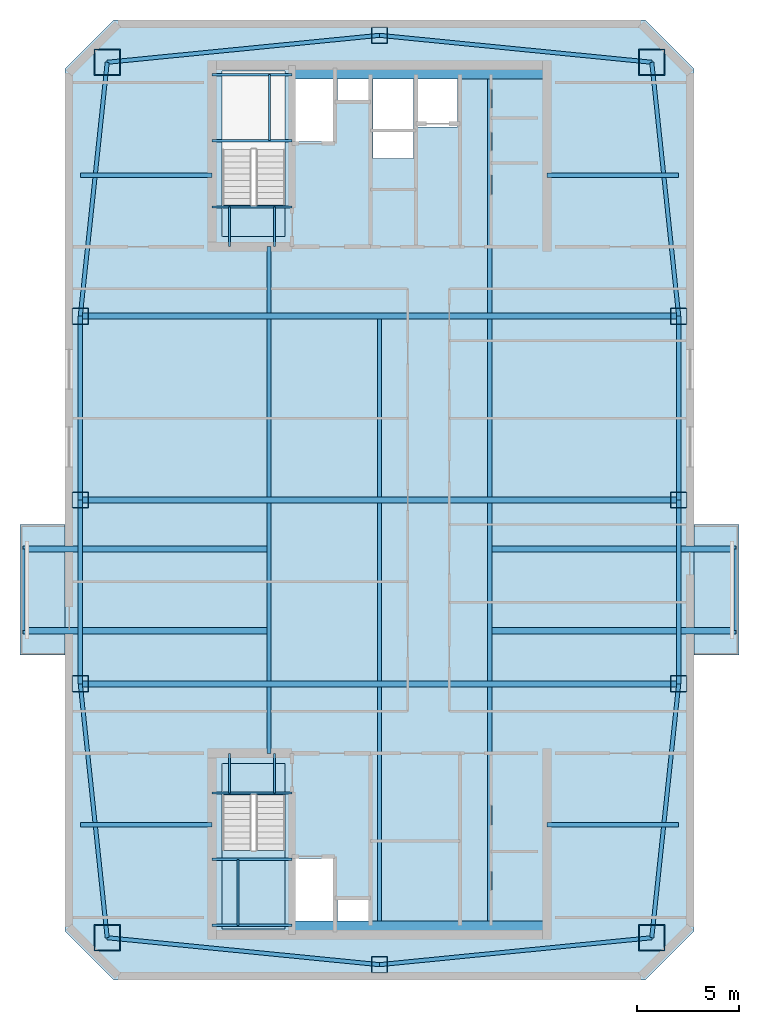
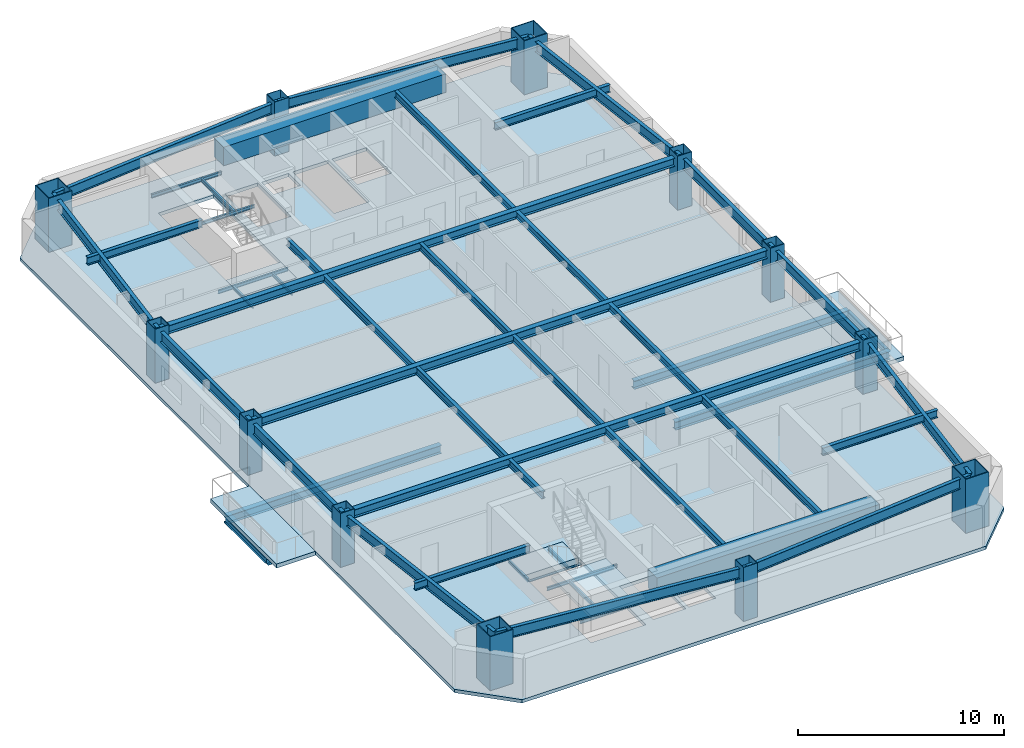
# One storey, part 1 of 6: 50 beams, 12 columns, 6 slabs, 1 element without a shape of its own.
"""IFC4 building model written with IfcOpenShell, lengths in metres."""

import ifcopenshell
import ifcopenshell.guid

model = None  # the IFC model being written
_history = None  # IfcOwnerHistory: only IFC2X3 demands one
_inside = {}  # id of a spatial element -> (the spatial element, [elements in it])
_under = {}  # id of a project, library or spatial element -> (it, [spatial elements below it])
_declared = {}  # id of a project -> (the project, [libraries it declares])
_typed = {}  # id of a type object -> (the type object, [elements of that type])
_made_of = {}  # id of a material, layer set ... -> (it, [elements and type objects made of it])


def new_model(schema):
    """Start an empty IFC model of exactly this schema.

    Asked for "IFC4X3", IfcOpenShell would pick the latest addendum, in which some entities
    have other attributes; the version numbers below select the first issue.
    IFC2X3 requires an IfcOwnerHistory on every rooted entity: one is made here for all.
    """
    global model, _history
    if schema == "IFC4X3":
        model = ifcopenshell.file(schema_version=(4, 3, 0, 0))
    else:
        model = ifcopenshell.file(schema=schema)
    _inside.clear()
    _under.clear()
    _declared.clear()
    _typed.clear()
    _made_of.clear()
    _history = None
    if model.schema == "IFC2X3":
        org = make("IfcOrganization", Name="unknown")
        user = make(
            "IfcPersonAndOrganization",
            ThePerson=make("IfcPerson", FamilyName="unknown"),
            TheOrganization=org,
        )
        app = make(
            "IfcApplication",
            ApplicationDeveloper=org,
            Version="unknown",
            ApplicationFullName="unknown",
            ApplicationIdentifier="unknown",
        )
        _history = make(
            "IfcOwnerHistory",
            OwningUser=user,
            OwningApplication=app,
            ChangeAction="ADDED",
            CreationDate=0,
        )
    return model


def make(cls, **values):
    """One entity of the class cls with the attributes given. An attribute that is None is left unset."""
    return model.create_entity(
        cls, **{name: value for name, value in values.items() if value is not None}
    )


def rooted(cls, **values):
    """An entity with a GlobalId (a new one), such as an element, a storey or a relation."""
    return make(cls, GlobalId=ifcopenshell.guid.new(), OwnerHistory=_history, **values)


def si_unit(unit_type, name, prefix=None):
    """IfcSIUnit, for example si_unit("LENGTHUNIT", "METRE", prefix="MILLI")."""
    return make("IfcSIUnit", UnitType=unit_type, Prefix=prefix, Name=name)


def assignment(units):
    """IfcUnitAssignment: the units of a project."""
    return None if units is None else make("IfcUnitAssignment", Units=units)


def point(xyz):
    """IfcCartesianPoint."""
    return None if xyz is None else make("IfcCartesianPoint", Coordinates=xyz)


def direction(xyz):
    """IfcDirection."""
    return None if xyz is None else make("IfcDirection", DirectionRatios=xyz)


def frame(location, z_axis=None, x_axis=None):
    """IfcAxis2Placement3D, a coordinate frame: its origin and axes. An axis left out is left unset."""
    return make(
        "IfcAxis2Placement3D",
        Location=point(location),
        Axis=direction(z_axis),
        RefDirection=direction(x_axis),
    )


def frame_2d(location, x_axis=None):
    """IfcAxis2Placement2D, a coordinate frame in the plane: its origin and x axis."""
    return make(
        "IfcAxis2Placement2D", Location=point(location), RefDirection=direction(x_axis)
    )


def origin():
    """The frame at (0, 0, 0) with its axes left unset."""
    return frame((0.0, 0.0, 0.0))


def origin_2d():
    """The frame at (0, 0) in the plane with its x axis left unset."""
    return frame_2d((0.0, 0.0))


def place(relative_to, where):
    """IfcLocalPlacement: puts the frame where relative to a parent placement (None: the world)."""
    return make(
        "IfcLocalPlacement", PlacementRelTo=relative_to, RelativePlacement=where
    )


def context(
    kind, dimensions, precision=None, world=None, true_north=None, identifier=None
):
    """IfcGeometricRepresentationContext, for example the 3D "Model" context."""
    return make(
        "IfcGeometricRepresentationContext",
        ContextIdentifier=identifier,
        ContextType=kind,
        CoordinateSpaceDimension=dimensions,
        Precision=precision,
        WorldCoordinateSystem=world,
        TrueNorth=true_north,
    )


def subcontext(parent, identifier, kind, view, scale=None):
    """IfcGeometricRepresentationSubContext, for example "Body" below "Model"."""
    return make(
        "IfcGeometricRepresentationSubContext",
        ContextIdentifier=identifier,
        ContextType=kind,
        ParentContext=parent,
        TargetScale=scale,
        TargetView=view,
    )


def project(units=None, contexts=None):
    """IfcProject with its units and contexts."""
    return rooted(
        "IfcProject",
        Name="project",
        RepresentationContexts=contexts,
        UnitsInContext=assignment(units),
    )


def spatial(cls, under=None, at=None, **own):
    """A site, building, storey or space (cls), placed at a placement, below another one or the project."""
    s = rooted(cls, ObjectPlacement=at, **own)
    if under is not None:
        _under.setdefault(under.id(), (under, []))[1].append(s)
    return s


def polyline(points):
    """IfcPolyline through the points."""
    return make("IfcPolyline", Points=[point(p) for p in points])


def profile(cls, at=None, kind="AREA", **sizes):
    """A parametric profile (cls). Its sizes go by their IFC names, for example OverallWidth=200.0."""
    return make(cls, ProfileType=kind, Position=at, **sizes)


def rectangle(**sizes):
    """IfcRectangleProfileDef."""
    return profile("IfcRectangleProfileDef", **sizes)


def hollow_rectangle(**sizes):
    """IfcRectangleHollowProfileDef."""
    return profile("IfcRectangleHollowProfileDef", **sizes)


def i_section(**sizes):
    """IfcIShapeProfileDef."""
    return profile("IfcIShapeProfileDef", **sizes)


def outline(outer, holes=None, kind="AREA"):
    """IfcArbitraryClosedProfileDef: a profile drawn as a closed curve; with holes, ...WithVoids."""
    if holes is None:
        return make("IfcArbitraryClosedProfileDef", ProfileType=kind, OuterCurve=outer)
    return make(
        "IfcArbitraryProfileDefWithVoids",
        ProfileType=kind,
        OuterCurve=outer,
        InnerCurves=holes,
    )


def extrude(swept, where, along, depth):
    """IfcExtrudedAreaSolid: the profile swept, set in the frame where, extruded along a direction by depth."""
    return make(
        "IfcExtrudedAreaSolid",
        SweptArea=swept,
        Position=where,
        ExtrudedDirection=direction(along),
        Depth=depth,
    )


def shape(context_of_items, identifier, shape_type, items):
    """IfcShapeRepresentation: the items that make up one representation, for example the "Body"."""
    return make(
        "IfcShapeRepresentation",
        ContextOfItems=context_of_items,
        RepresentationIdentifier=identifier,
        RepresentationType=shape_type,
        Items=items,
    )


def material(Name=None, Category=None):
    """IfcMaterial."""
    return make("IfcMaterial", Name=Name, Category=Category)


def layer(
    of_material, thickness, ventilated=None, Name=None, Category=None, Priority=None
):
    """IfcMaterialLayer: one layer of a wall or slab, of a material (None: an air gap)."""
    return make(
        "IfcMaterialLayer",
        Material=of_material,
        LayerThickness=thickness,
        IsVentilated=ventilated,
        Name=Name,
        Category=Category,
        Priority=Priority,
    )


def layer_set(layers, Name=None):
    """IfcMaterialLayerSet."""
    return make("IfcMaterialLayerSet", MaterialLayers=layers, LayerSetName=Name)


def material_profile(
    of_material, cross_section, Name=None, Category=None, Priority=None
):
    """IfcMaterialProfile: a cross section and its material."""
    return make(
        "IfcMaterialProfile",
        Name=Name,
        Material=of_material,
        Profile=cross_section,
        Priority=Priority,
        Category=Category,
    )


def profile_set(profiles, Name=None, composite=None):
    """IfcMaterialProfileSet."""
    return make(
        "IfcMaterialProfileSet",
        Name=Name,
        MaterialProfiles=profiles,
        CompositeProfile=composite,
    )


def made_of(thing, what):
    """Note that an element or type object is made of a material, layer set ...; save() writes the relation."""
    if what is not None:
        _made_of.setdefault(what.id(), (what, []))[1].append(thing)
    return thing


def type_object(cls, material=None, **own):
    """A type object (cls), such as IfcWallType, which elements share."""
    return made_of(rooted(cls, **own), material)


def element(
    cls,
    number,
    at=None,
    inside=None,
    cuts=None,
    type_object=None,
    material=None,
    context=None,
    identifier="Body",
    shape_type=None,
    held_by="IfcProductDefinitionShape",
    body=None,
    shapes=None,
    **own,
):
    """One element of the class cls, such as IfcWall. Its Tag is "e" and its number.

    at: its placement. inside: the storey or other place that contains it. cuts: it is an
    opening in that element (IfcRelVoidsElement). A single representation is given by context,
    identifier, shape_type and body (its items); several are given by shapes. held_by: the class
    of the entity that holds the representations. save() writes the other relations.
    """
    e = rooted(cls, Tag="e%d" % number, ObjectPlacement=at, **own)
    if body is not None:
        shapes = [shape(context, identifier, shape_type, body)]
    if shapes is not None:
        e.Representation = make(held_by, Representations=shapes)
    if inside is not None:
        _inside.setdefault(inside.id(), (inside, []))[1].append(e)
    if cuts is not None:
        rooted(
            "IfcRelVoidsElement", RelatingBuildingElement=cuts, RelatedOpeningElement=e
        )
    if type_object is not None:
        _typed.setdefault(type_object.id(), (type_object, []))[1].append(e)
    return made_of(e, material)


def aggregate(whole, parts):
    """IfcRelAggregates: a whole, such as a stair, and the parts it consists of."""
    return rooted("IfcRelAggregates", RelatingObject=whole, RelatedObjects=parts)


def save(model, path):
    """Write the relations noted so far, then the file.

    IfcRelAggregates (storeys below a building ...), IfcRelContainedInSpatialStructure (elements
    in a storey), IfcRelDefinesByType, IfcRelAssociatesMaterial and IfcRelDeclares: one each for
    every whole, place, type object, material and project.
    """
    for whole, parts in _under.values():
        aggregate(whole, parts)
    for where, things in _inside.values():
        rooted(
            "IfcRelContainedInSpatialStructure",
            RelatedElements=things,
            RelatingStructure=where,
        )
    for kind, things in _typed.values():
        rooted("IfcRelDefinesByType", RelatedObjects=things, RelatingType=kind)
    for what, things in _made_of.values():
        rooted("IfcRelAssociatesMaterial", RelatedObjects=things, RelatingMaterial=what)
    for by, libraries in _declared.values():
        rooted("IfcRelDeclares", RelatingContext=by, RelatedDefinitions=libraries)
    model.write(path)


model = new_model("IFC4")

# Units and contexts
model_context = context("Model", 3, precision=1e-05, world=origin(), true_north=direction((0.0, 1.0)))
body_context = subcontext(model_context, "Body", "Model", "MODEL_VIEW")
ifc_project = project(units=[si_unit("LENGTHUNIT", "METRE"), si_unit("AREAUNIT", "SQUARE_METRE"), si_unit("VOLUMEUNIT", "CUBIC_METRE"), si_unit("PLANEANGLEUNIT", "RADIAN"), si_unit("MASSUNIT", "GRAM", prefix="KILO")], contexts=[model_context])

# Site, building, storey
site_placement = place(None, origin())
site = spatial("IfcSite", under=ifc_project, at=site_placement, CompositionType="ELEMENT")
building_placement = place(site_placement, origin())
building = spatial("IfcBuilding", under=site, at=building_placement, Name="Qiaolan Cultural Towers", CompositionType="ELEMENT")
storey_placement = place(building_placement, frame((0.0, 0.0, 269.60009765625)))
storey = spatial("IfcBuildingStorey", under=building, at=storey_placement, Name="L74", CompositionType="ELEMENT", Elevation=269.60009765625)

# Columns
ifc_material_1 = material(Name="Steel Q390GJB", Category="steel")
ifc_material_profile_1 = material_profile(ifc_material_1, hollow_rectangle(XDim=1.300048828125, YDim=1.300048828125, WallThickness=0.044921875, at=origin_2d()), Name="BOX1300x1300x45")
ifc_profile_set_1 = profile_set([ifc_material_profile_1], Name="Steel Q390GJB")
column_type_1 = type_object("IfcColumnType", Name="COL-BOX1300x1300x45", PredefinedType="COLUMN", material=ifc_profile_set_1)
for number, where, z_axis, x_axis, name in (
    (1, (16.669921875, 12.570068359375, 0.0), (0.0, 0.0, 1.0), (1.0, 0.0, 0.0), "L74 T1 Perimeter Column MC-SW"),
    (2, (43.330078125, 12.570068359375, 0.0), (0.0, 0.0, 1.0), (1.0, 0.0, 0.0), "L74 T1 Perimeter Column MC-SE"),
    (3, (43.330078125, 55.429931640625, 0.0), (0.0, 0.0, 1.0), (1.0, 0.0, 0.0), "L74 T1 Perimeter Column MC-NE"),
    (4, (16.669921875, 55.429931640625, 0.0), (0.0, 0.0, 1.0), (1.0, 0.0, 0.0), "L74 T1 Perimeter Column MC-NW"),
):
    element("IfcColumn", number, at=place(storey_placement, frame(where, z_axis=z_axis, x_axis=x_axis)), inside=storey, type_object=column_type_1, Name=name, PredefinedType="COLUMN", context=body_context, shape_type="SweptSolid", body=[
        extrude(hollow_rectangle(XDim=1.300048828125, YDim=1.300048828125, WallThickness=0.044921875, at=origin_2d()), origin(), (0.0, 0.0, 1.0), 3.200927734375),
    ])
ifc_material_2 = material(Name="Steel Q355B", Category="steel")
ifc_material_profile_2 = material_profile(ifc_material_2, hollow_rectangle(XDim=0.800048828125, YDim=0.800048828125, WallThickness=0.028076171875, at=origin_2d()), Name="BOX800x800x28")
ifc_profile_set_2 = profile_set([ifc_material_profile_2], Name="Steel Q355B")
column_type_2 = type_object("IfcColumnType", Name="COL-BOX800x800x28", PredefinedType="COLUMN", material=ifc_profile_set_2)
for number, where, z_axis, x_axis, name in (
    (5, (15.35009765625, 25.0, 0.0), (0.0, 0.0, 1.0), (1.0, 0.0, 0.0), "L74 T1 Perimeter Column PC-W1"),
    (6, (15.35009765625, 34.0, 0.0), (0.0, 0.0, 1.0), (1.0, 0.0, 0.0), "L74 T1 Perimeter Column PC-W2"),
    (7, (15.35009765625, 43.0, 0.0), (0.0, 0.0, 1.0), (1.0, 0.0, 0.0), "L74 T1 Perimeter Column PC-W3"),
    (8, (44.64990234375, 25.0, 0.0), (0.0, 0.0, 1.0), (1.0, 0.0, 0.0), "L74 T1 Perimeter Column PC-E1"),
    (9, (44.64990234375, 34.0, 0.0), (0.0, 0.0, 1.0), (1.0, 0.0, 0.0), "L74 T1 Perimeter Column PC-E2"),
    (10, (44.64990234375, 43.0, 0.0), (0.0, 0.0, 1.0), (1.0, 0.0, 0.0), "L74 T1 Perimeter Column PC-E3"),
    (11, (30.0, 11.25, 0.0), (0.0, 0.0, 1.0), (1.0, 0.0, 0.0), "L74 T1 Perimeter Column PC-S0"),
    (12, (30.0, 56.75, 0.0), (0.0, 0.0, 1.0), (1.0, 0.0, 0.0), "L74 T1 Perimeter Column PC-N0"),
):
    element("IfcColumn", number, at=place(storey_placement, frame(where, z_axis=z_axis, x_axis=x_axis)), inside=storey, type_object=column_type_2, Name=name, PredefinedType="COLUMN", context=body_context, shape_type="SweptSolid", body=[
        extrude(hollow_rectangle(XDim=0.800048828125, YDim=0.800048828125, WallThickness=0.028076171875, at=origin_2d()), origin(), (0.0, 0.0, 1.0), 3.200927734375),
    ])

# Beams
ifc_material_3 = material(Name="Steel Q355B", Category="steel")
ifc_material_profile_3 = material_profile(ifc_material_3, i_section(OverallWidth=0.300048828125, OverallDepth=0.488037109375, WebThickness=0.010986328125, FlangeThickness=0.01806640625, at=origin_2d()), Name="HM488x300x11x18")
ifc_profile_set_3 = profile_set([ifc_material_profile_3], Name="Steel Q355B")
beam_type_1 = type_object("IfcBeamType", Name="BM-HM488x300x11x18", PredefinedType="BEAM", material=ifc_profile_set_3)
for number, where, z_axis, x_axis, name in (
    (13, (24.60009765625, 27.60009765625, -0.524169921875), (-1.0, 0.0, 0.0), (0.0, -1.0, 0.0), "L74 T1 Tree Balcony Back-Spanned Bracket Beam"),
    (14, (24.60009765625, 31.60009765625, -0.524169921875), (-1.0, 0.0, 0.0), (0.0, -1.0, 0.0), "L74 T1 Tree Balcony Back-Spanned Bracket Beam"),
    (15, (35.39990234375, 27.60009765625, -0.524169921875), (1.0, 0.0, 0.0), (0.0, 1.0, 0.0), "L74 T1 Tree Balcony Back-Spanned Bracket Beam"),
    (16, (35.39990234375, 31.60009765625, -0.524169921875), (1.0, 0.0, 0.0), (0.0, 1.0, 0.0), "L74 T1 Tree Balcony Back-Spanned Bracket Beam"),
):
    element("IfcBeam", number, at=place(storey_placement, frame(where, z_axis=z_axis, x_axis=x_axis)), inside=storey, type_object=beam_type_1, Name=name, PredefinedType="BEAM", context=body_context, shape_type="SweptSolid", body=[
        extrude(i_section(OverallWidth=0.300048828125, OverallDepth=0.488037109375, WebThickness=0.010986328125, FlangeThickness=0.01806640625, at=origin_2d()), origin(), (0.0, 0.0, 1.0), 12.050048828125),
    ])
for number, where, z_axis, x_axis, name in (
    (17, (15.35009765625, 25.0, 2.69580078125), (1.0, 0.0, 0.0), (0.0, 1.0, 0.0), "L74 T1 Primary Transverse Girder V1"),
    (18, (15.35009765625, 34.0, 2.69580078125), (1.0, 0.0, 0.0), (0.0, 1.0, 0.0), "L74 T1 Primary Transverse Girder V2"),
    (19, (15.35009765625, 43.0, 2.69580078125), (1.0, 0.0, 0.0), (0.0, 1.0, 0.0), "L74 T1 Primary Transverse Girder V3"),
):
    element("IfcBeam", number, at=place(storey_placement, frame(where, z_axis=z_axis, x_axis=x_axis)), inside=storey, type_object=beam_type_1, Name=name, PredefinedType="BEAM", context=body_context, shape_type="SweptSolid", body=[
        extrude(i_section(OverallWidth=0.300048828125, OverallDepth=0.488037109375, WebThickness=0.010986328125, FlangeThickness=0.01806640625, at=origin_2d()), origin(), (0.0, 0.0, 1.0), 29.2998046875),
    ])
ifc_material_4 = material(Name="Steel Q355B", Category="steel")
ifc_material_profile_4 = material_profile(ifc_material_4, i_section(OverallWidth=0.175048828125, OverallDepth=0.35009765625, WebThickness=0.007080078125, FlangeThickness=0.010986328125, at=origin_2d()), Name="HN350x175x7x11")
ifc_profile_set_4 = profile_set([ifc_material_profile_4], Name="Steel Q355B")
beam_type_2 = type_object("IfcBeamType", Name="BM-JST-HN350x175x7x11", PredefinedType="JOIST", material=ifc_profile_set_4)
for number, where, z_axis, x_axis, name in (
    (20, (12.550048828125, 27.60009765625, -0.524169921875), (0.0, 1.0, 0.0), (-1.0, 0.0, 0.0), "L74 T1 Tree Balcony Outer Edge Beam"),
    (21, (47.449951171875, 27.60009765625, -0.524169921875), (0.0, 1.0, 0.0), (-1.0, 0.0, 0.0), "L74 T1 Tree Balcony Outer Edge Beam"),
):
    element("IfcBeam", number, at=place(storey_placement, frame(where, z_axis=z_axis, x_axis=x_axis)), inside=storey, type_object=beam_type_2, Name=name, PredefinedType="JOIST", context=body_context, shape_type="SweptSolid", body=[
        extrude(i_section(OverallWidth=0.175048828125, OverallDepth=0.35009765625, WebThickness=0.007080078125, FlangeThickness=0.010986328125, at=origin_2d()), origin(), (0.0, 0.0, 1.0), 4.0),
    ])
ifc_material_5 = material(Name="Steel Q355B", Category="steel")
ifc_material_profile_5 = material_profile(ifc_material_5, i_section(OverallWidth=0.199951171875, OverallDepth=0.39990234375, WebThickness=0.008056640625, FlangeThickness=0.012939453125, at=origin_2d()), Name="HN400x200x8x13")
ifc_profile_set_5 = profile_set([ifc_material_profile_5], Name="Steel Q355B")
beam_type_3 = type_object("IfcBeamType", Name="BM-JST-HN400x200x8x13", PredefinedType="JOIST", material=ifc_profile_set_5)
beam_1_placement = place(storey_placement, frame((24.60009765625, 21.60009765625, 2.739990234375), z_axis=(0.0, 1.0, 0.0), x_axis=(-1.0, 0.0, 0.0)))
element("IfcBeam", 22, at=beam_1_placement, inside=storey, type_object=beam_type_3, Name="L74 T1 Secondary Floor Joist U1-1", PredefinedType="JOIST", context=body_context, shape_type="SweptSolid", body=[
    extrude(i_section(OverallWidth=0.199951171875, OverallDepth=0.39990234375, WebThickness=0.008056640625, FlangeThickness=0.012939453125, at=origin_2d()), origin(), (0.0, 0.0, 1.0), 3.25),
])
for number, where, z_axis, x_axis, name in (
    (23, (24.60009765625, 25.14990234375, 2.739990234375), (0.0, 1.0, 0.0), (-1.0, 0.0, 0.0), "L74 T1 Secondary Floor Joist U1-2"),
    (24, (24.60009765625, 34.14990234375, 2.739990234375), (0.0, 1.0, 0.0), (-1.0, 0.0, 0.0), "L74 T1 Secondary Floor Joist U1-3"),
):
    element("IfcBeam", number, at=place(storey_placement, frame(where, z_axis=z_axis, x_axis=x_axis)), inside=storey, type_object=beam_type_3, Name=name, PredefinedType="JOIST", context=body_context, shape_type="SweptSolid", body=[
        extrude(i_section(OverallWidth=0.199951171875, OverallDepth=0.39990234375, WebThickness=0.008056640625, FlangeThickness=0.012939453125, at=origin_2d()), origin(), (0.0, 0.0, 1.0), 8.7001953125),
    ])
beam_2_placement = place(storey_placement, frame((24.60009765625, 43.14990234375, 2.739990234375), z_axis=(0.0, 1.0, 0.0), x_axis=(-1.0, 0.0, 0.0)))
element("IfcBeam", 25, at=beam_2_placement, inside=storey, type_object=beam_type_3, Name="L74 T1 Secondary Floor Joist U1-4", PredefinedType="JOIST", context=body_context, shape_type="SweptSolid", body=[
    extrude(i_section(OverallWidth=0.199951171875, OverallDepth=0.39990234375, WebThickness=0.008056640625, FlangeThickness=0.012939453125, at=origin_2d()), origin(), (0.0, 0.0, 1.0), 3.25),
])
beam_3_placement = place(storey_placement, frame((30.0, 13.39990234375, 2.739990234375), z_axis=(0.0, 1.0, 0.0), x_axis=(-1.0, 0.0, 0.0)))
element("IfcBeam", 26, at=beam_3_placement, inside=storey, type_object=beam_type_3, Name="L74 T1 Secondary Floor Joist U2-1", PredefinedType="JOIST", context=body_context, shape_type="SweptSolid", body=[
    extrude(i_section(OverallWidth=0.199951171875, OverallDepth=0.39990234375, WebThickness=0.008056640625, FlangeThickness=0.012939453125, at=origin_2d()), origin(), (0.0, 0.0, 1.0), 11.4501953125),
])
for number, where, z_axis, x_axis, name in (
    (27, (30.0, 25.14990234375, 2.739990234375), (0.0, 1.0, 0.0), (-1.0, 0.0, 0.0), "L74 T1 Secondary Floor Joist U2-2"),
    (28, (30.0, 34.14990234375, 2.739990234375), (0.0, 1.0, 0.0), (-1.0, 0.0, 0.0), "L74 T1 Secondary Floor Joist U2-3"),
):
    element("IfcBeam", number, at=place(storey_placement, frame(where, z_axis=z_axis, x_axis=x_axis)), inside=storey, type_object=beam_type_3, Name=name, PredefinedType="JOIST", context=body_context, shape_type="SweptSolid", body=[
        extrude(i_section(OverallWidth=0.199951171875, OverallDepth=0.39990234375, WebThickness=0.008056640625, FlangeThickness=0.012939453125, at=origin_2d()), origin(), (0.0, 0.0, 1.0), 8.7001953125),
    ])
beam_4_placement = place(storey_placement, frame((35.39990234375, 13.39990234375, 2.739990234375), z_axis=(0.0, 1.0, 0.0), x_axis=(-1.0, 0.0, 0.0)))
element("IfcBeam", 29, at=beam_4_placement, inside=storey, type_object=beam_type_3, Name="L74 T1 Secondary Floor Joist U3-1", PredefinedType="JOIST", context=body_context, shape_type="SweptSolid", body=[
    extrude(i_section(OverallWidth=0.199951171875, OverallDepth=0.39990234375, WebThickness=0.008056640625, FlangeThickness=0.012939453125, at=origin_2d()), origin(), (0.0, 0.0, 1.0), 11.4501953125),
])
for number, where, z_axis, x_axis, name in (
    (30, (35.39990234375, 25.14990234375, 2.739990234375), (0.0, 1.0, 0.0), (-1.0, 0.0, 0.0), "L74 T1 Secondary Floor Joist U3-2"),
    (31, (35.39990234375, 34.14990234375, 2.739990234375), (0.0, 1.0, 0.0), (-1.0, 0.0, 0.0), "L74 T1 Secondary Floor Joist U3-3"),
):
    element("IfcBeam", number, at=place(storey_placement, frame(where, z_axis=z_axis, x_axis=x_axis)), inside=storey, type_object=beam_type_3, Name=name, PredefinedType="JOIST", context=body_context, shape_type="SweptSolid", body=[
        extrude(i_section(OverallWidth=0.199951171875, OverallDepth=0.39990234375, WebThickness=0.008056640625, FlangeThickness=0.012939453125, at=origin_2d()), origin(), (0.0, 0.0, 1.0), 8.7001953125),
    ])
beam_5_placement = place(storey_placement, frame((35.39990234375, 43.14990234375, 2.739990234375), z_axis=(0.0, 1.0, 0.0), x_axis=(-1.0, 0.0, 0.0)))
element("IfcBeam", 32, at=beam_5_placement, inside=storey, type_object=beam_type_3, Name="L74 T1 Secondary Floor Joist U3-4", PredefinedType="JOIST", context=body_context, shape_type="SweptSolid", body=[
    extrude(i_section(OverallWidth=0.199951171875, OverallDepth=0.39990234375, WebThickness=0.008056640625, FlangeThickness=0.012939453125, at=origin_2d()), origin(), (0.0, 0.0, 1.0), 11.4501953125),
])
ifc_material_6 = material(Name="Steel Q355B", Category="steel")
ifc_material_profile_6 = material_profile(ifc_material_6, i_section(OverallWidth=0.199951171875, OverallDepth=0.449951171875, WebThickness=0.009033203125, FlangeThickness=0.013916015625, at=origin_2d()), Name="HN450x200x9x14")
ifc_profile_set_6 = profile_set([ifc_material_profile_6], Name="Steel Q355B")
beam_type_4 = type_object("IfcBeamType", Name="BM-LNT-HN450x200x9x14", PredefinedType="LINTEL", material=ifc_profile_set_6)
for number, where, z_axis, x_axis, name in (
    (33, (21.800048828125, 18.10009765625, 2.71484375), (-1.0, 0.0, 0.0), (0.0, -1.0, 0.0), "L74 T1 Core Flank Tie Lintel WS"),
    (34, (21.800048828125, 49.89990234375, 2.71484375), (-1.0, 0.0, 0.0), (0.0, -1.0, 0.0), "L74 T1 Core Flank Tie Lintel WN"),
    (35, (38.199951171875, 18.10009765625, 2.71484375), (1.0, 0.0, 0.0), (0.0, 1.0, 0.0), "L74 T1 Core Flank Tie Lintel ES"),
    (36, (38.199951171875, 49.89990234375, 2.71484375), (1.0, 0.0, 0.0), (0.0, 1.0, 0.0), "L74 T1 Core Flank Tie Lintel EN"),
):
    element("IfcBeam", number, at=place(storey_placement, frame(where, z_axis=z_axis, x_axis=x_axis)), inside=storey, type_object=beam_type_4, Name=name, PredefinedType="LINTEL", context=body_context, shape_type="SweptSolid", body=[
        extrude(i_section(OverallWidth=0.199951171875, OverallDepth=0.449951171875, WebThickness=0.009033203125, FlangeThickness=0.013916015625, at=origin_2d()), origin(), (0.0, 0.0, 1.0), 6.449951171875),
    ])
ifc_material_7 = material(Name="Concrete C50", Category="concrete")
ifc_material_profile_7 = material_profile(ifc_material_7, rectangle(XDim=0.89990234375, YDim=1.10009765625, at=origin_2d()), Name="RC900x1100")
ifc_profile_set_7 = profile_set([ifc_material_profile_7], Name="Concrete C50")
beam_type_5 = type_object("IfcBeamType", Name="BM-RC900x1100", PredefinedType="BEAM", material=ifc_profile_set_7)
for number, where, z_axis, x_axis, name in (
    (37, (25.719970703125, 12.949951171875, 2.389892578125), (1.0, 0.0, 0.0), (0.0, 1.0, 0.0), "L74 T1 Core Header Girder S"),
    (38, (25.719970703125, 55.050048828125, 2.389892578125), (1.0, 0.0, 0.0), (0.0, 1.0, 0.0), "L74 T1 Core Header Girder N"),
):
    element("IfcBeam", number, at=place(storey_placement, frame(where, z_axis=z_axis, x_axis=x_axis)), inside=storey, type_object=beam_type_5, Name=name, PredefinedType="BEAM", context=body_context, shape_type="SweptSolid", body=[
        extrude(rectangle(XDim=0.89990234375, YDim=1.10009765625, at=origin_2d()), origin(), (0.0, 0.0, 1.0), 12.47998046875),
    ])
ifc_material_8 = material(Name="Steel Q355B", Category="steel")
ifc_material_profile_8 = material_profile(ifc_material_8, i_section(OverallWidth=0.199951171875, OverallDepth=0.60009765625, WebThickness=0.010986328125, FlangeThickness=0.01708984375, at=origin_2d()), Name="HN600x200x11x17")
ifc_profile_set_8 = profile_set([ifc_material_profile_8], Name="Steel Q355B")
beam_type_6 = type_object("IfcBeamType", Name="BM-SPD-HN600x200x11x17", PredefinedType="SPANDREL", material=ifc_profile_set_8)
for number, where, z_axis, x_axis, name in (
    (39, (16.669921875, 12.570068359375, 2.639892578125), (0.995132371263, -0.098547266143, 0.0), (0.098547266143, 0.995132371263, 0.0), "L74 T1 Perimeter Spandrel Beam 1"),
    (40, (30.0, 11.25, 2.639892578125), (0.995132371263, 0.098547266143, 0.0), (-0.098547266143, 0.995132371263, 0.0), "L74 T1 Perimeter Spandrel Beam 2"),
):
    element("IfcBeam", number, at=place(storey_placement, frame(where, z_axis=z_axis, x_axis=x_axis)), inside=storey, type_object=beam_type_6, Name=name, PredefinedType="SPANDREL", context=body_context, shape_type="SweptSolid", body=[
        extrude(i_section(OverallWidth=0.199951171875, OverallDepth=0.60009765625, WebThickness=0.010986328125, FlangeThickness=0.01708984375, at=origin_2d()), origin(), (0.0, 0.0, 1.0), 13.395263671875),
    ])
beam_6_placement = place(storey_placement, frame((43.330078125, 12.570068359375, 2.639892578125), z_axis=(0.105587580773, 0.994410007384, 0.0), x_axis=(-0.994410007384, 0.105587580773, 0.0)))
element("IfcBeam", 41, at=beam_6_placement, inside=storey, type_object=beam_type_6, Name="L74 T1 Perimeter Spandrel Beam 3", PredefinedType="SPANDREL", context=body_context, shape_type="SweptSolid", body=[
    extrude(i_section(OverallWidth=0.199951171875, OverallDepth=0.60009765625, WebThickness=0.010986328125, FlangeThickness=0.01708984375, at=origin_2d()), origin(), (0.0, 0.0, 1.0), 12.499755859375),
])
for number, where, z_axis, x_axis, name in (
    (42, (44.64990234375, 25.0, 2.639892578125), (0.0, 1.0, 0.0), (-1.0, 0.0, 0.0), "L74 T1 Perimeter Spandrel Beam 4"),
    (43, (44.64990234375, 34.0, 2.639892578125), (0.0, 1.0, 0.0), (-1.0, 0.0, 0.0), "L74 T1 Perimeter Spandrel Beam 5"),
):
    element("IfcBeam", number, at=place(storey_placement, frame(where, z_axis=z_axis, x_axis=x_axis)), inside=storey, type_object=beam_type_6, Name=name, PredefinedType="SPANDREL", context=body_context, shape_type="SweptSolid", body=[
        extrude(i_section(OverallWidth=0.199951171875, OverallDepth=0.60009765625, WebThickness=0.010986328125, FlangeThickness=0.01708984375, at=origin_2d()), origin(), (0.0, 0.0, 1.0), 9.0),
    ])
beam_7_placement = place(storey_placement, frame((44.64990234375, 43.0, 2.639892578125), z_axis=(-0.105587580773, 0.994410007384, 0.0), x_axis=(-0.994410007384, -0.105587580773, 0.0)))
element("IfcBeam", 44, at=beam_7_placement, inside=storey, type_object=beam_type_6, Name="L74 T1 Perimeter Spandrel Beam 6", PredefinedType="SPANDREL", context=body_context, shape_type="SweptSolid", body=[
    extrude(i_section(OverallWidth=0.199951171875, OverallDepth=0.60009765625, WebThickness=0.010986328125, FlangeThickness=0.01708984375, at=origin_2d()), origin(), (0.0, 0.0, 1.0), 12.499755859375),
])
for number, where, z_axis, x_axis, name in (
    (45, (43.330078125, 55.429931640625, 2.639892578125), (-0.995132371263, 0.098547266143, 0.0), (-0.098547266143, -0.995132371263, 0.0), "L74 T1 Perimeter Spandrel Beam 7"),
    (46, (30.0, 56.75, 2.639892578125), (-0.995132371263, -0.098547266143, 0.0), (0.098547266143, -0.995132371263, 0.0), "L74 T1 Perimeter Spandrel Beam 8"),
):
    element("IfcBeam", number, at=place(storey_placement, frame(where, z_axis=z_axis, x_axis=x_axis)), inside=storey, type_object=beam_type_6, Name=name, PredefinedType="SPANDREL", context=body_context, shape_type="SweptSolid", body=[
        extrude(i_section(OverallWidth=0.199951171875, OverallDepth=0.60009765625, WebThickness=0.010986328125, FlangeThickness=0.01708984375, at=origin_2d()), origin(), (0.0, 0.0, 1.0), 13.395263671875),
    ])
beam_8_placement = place(storey_placement, frame((16.669921875, 55.429931640625, 2.639892578125), z_axis=(-0.105587580773, -0.994410007384, 0.0), x_axis=(0.994410007384, -0.105587580773, 0.0)))
element("IfcBeam", 47, at=beam_8_placement, inside=storey, type_object=beam_type_6, Name="L74 T1 Perimeter Spandrel Beam 9", PredefinedType="SPANDREL", context=body_context, shape_type="SweptSolid", body=[
    extrude(i_section(OverallWidth=0.199951171875, OverallDepth=0.60009765625, WebThickness=0.010986328125, FlangeThickness=0.01708984375, at=origin_2d()), origin(), (0.0, 0.0, 1.0), 12.499755859375),
])
for number, where, z_axis, x_axis, name in (
    (48, (15.35009765625, 43.0, 2.639892578125), (0.0, -1.0, 0.0), (1.0, 0.0, 0.0), "L74 T1 Perimeter Spandrel Beam 10"),
    (49, (15.35009765625, 34.0, 2.639892578125), (0.0, -1.0, 0.0), (1.0, 0.0, 0.0), "L74 T1 Perimeter Spandrel Beam 11"),
):
    element("IfcBeam", number, at=place(storey_placement, frame(where, z_axis=z_axis, x_axis=x_axis)), inside=storey, type_object=beam_type_6, Name=name, PredefinedType="SPANDREL", context=body_context, shape_type="SweptSolid", body=[
        extrude(i_section(OverallWidth=0.199951171875, OverallDepth=0.60009765625, WebThickness=0.010986328125, FlangeThickness=0.01708984375, at=origin_2d()), origin(), (0.0, 0.0, 1.0), 9.0),
    ])
beam_9_placement = place(storey_placement, frame((15.35009765625, 25.0, 2.639892578125), z_axis=(0.105587580773, -0.994410007384, 0.0), x_axis=(0.994410007384, 0.105587580773, 0.0)))
element("IfcBeam", 50, at=beam_9_placement, inside=storey, type_object=beam_type_6, Name="L74 T1 Perimeter Spandrel Beam 12", PredefinedType="SPANDREL", context=body_context, shape_type="SweptSolid", body=[
    extrude(i_section(OverallWidth=0.199951171875, OverallDepth=0.60009765625, WebThickness=0.010986328125, FlangeThickness=0.01708984375, at=origin_2d()), origin(), (0.0, 0.0, 1.0), 12.499755859375),
])
ifc_material_9 = material(Name="Steel Q355B", Category="steel")
ifc_material_profile_9 = material_profile(ifc_material_9, i_section(OverallWidth=0.10009765625, OverallDepth=0.199951171875, WebThickness=0.005615234375, FlangeThickness=0.008056640625, at=origin_2d()), Name="HN200x100x5.5x8")
ifc_profile_set_9 = profile_set([ifc_material_profile_9], Name="Steel Q355B")
beam_type_7 = type_object("IfcBeamType", Name="BM-STTRIM-200", PredefinedType="BEAM", material=ifc_profile_set_9)
beam_10_placement = place(storey_placement, frame((21.800048828125, 19.659912109375, -0.460205078125), z_axis=(1.0, 0.0, 0.0), x_axis=(0.0, 1.0, 0.0)))
element("IfcBeam", 51, at=beam_10_placement, inside=storey, type_object=beam_type_7, Name="L74 ST-W1 Floor Landing Header Beam", PredefinedType="BEAM", context=body_context, shape_type="SweptSolid", body=[
    extrude(i_section(OverallWidth=0.10009765625, OverallDepth=0.199951171875, WebThickness=0.005615234375, FlangeThickness=0.008056640625, at=origin_2d()), origin(), (0.0, 0.0, 1.0), 3.919921875),
])
for number, where, z_axis, x_axis, name in (
    (52, (22.64990234375, 21.60009765625, -0.460205078125), (0.0, -1.0, 0.0), (1.0, 0.0, 0.0), "L74 ST-W1 Floor Landing Stringer 1"),
    (53, (24.85009765625, 21.60009765625, -0.460205078125), (0.0, -1.0, 0.0), (1.0, 0.0, 0.0), "L74 ST-W1 Floor Landing Stringer 2"),
):
    element("IfcBeam", number, at=place(storey_placement, frame(where, z_axis=z_axis, x_axis=x_axis)), inside=storey, type_object=beam_type_7, Name=name, PredefinedType="BEAM", context=body_context, shape_type="SweptSolid", body=[
        extrude(i_section(OverallWidth=0.10009765625, OverallDepth=0.199951171875, WebThickness=0.005615234375, FlangeThickness=0.008056640625, at=origin_2d()), origin(), (0.0, 0.0, 1.0), 1.940185546875),
    ])
for number, where, z_axis, x_axis, name in (
    (54, (21.800048828125, 16.411376953125, 1.2998046875), (1.0, 0.0, 0.0), (0.0, 1.0, 0.0), "L74 ST-W1 Stair Landing Support Beam 1-1"),
    (55, (21.800048828125, 13.179931640625, 1.2998046875), (1.0, 0.0, 0.0), (0.0, 1.0, 0.0), "L74 ST-W1 Stair Landing Support Beam 1-2"),
):
    element("IfcBeam", number, at=place(storey_placement, frame(where, z_axis=z_axis, x_axis=x_axis)), inside=storey, type_object=beam_type_7, Name=name, PredefinedType="BEAM", context=body_context, shape_type="SweptSolid", body=[
        extrude(i_section(OverallWidth=0.10009765625, OverallDepth=0.199951171875, WebThickness=0.005615234375, FlangeThickness=0.008056640625, at=origin_2d()), origin(), (0.0, 0.0, 1.0), 3.919921875),
    ])
beam_11_placement = place(storey_placement, frame((23.070068359375, 16.411376953125, 1.2998046875), z_axis=(0.0, -1.0, 0.0), x_axis=(1.0, 0.0, 0.0)))
element("IfcBeam", 56, at=beam_11_placement, inside=storey, type_object=beam_type_7, Name="L74 ST-W1 Stair Landing Trimmer 1", PredefinedType="BEAM", context=body_context, shape_type="SweptSolid", body=[
    extrude(i_section(OverallWidth=0.10009765625, OverallDepth=0.199951171875, WebThickness=0.005615234375, FlangeThickness=0.008056640625, at=origin_2d()), origin(), (0.0, 0.0, 1.0), 3.2314453125),
])
beam_12_placement = place(storey_placement, frame((21.800048828125, 48.340087890625, -0.460205078125), z_axis=(1.0, 0.0, 0.0), x_axis=(0.0, 1.0, 0.0)))
element("IfcBeam", 57, at=beam_12_placement, inside=storey, type_object=beam_type_7, Name="L74 ST-W2 Floor Landing Header Beam", PredefinedType="BEAM", context=body_context, shape_type="SweptSolid", body=[
    extrude(i_section(OverallWidth=0.10009765625, OverallDepth=0.199951171875, WebThickness=0.005615234375, FlangeThickness=0.008056640625, at=origin_2d()), origin(), (0.0, 0.0, 1.0), 3.919921875),
])
for number, where, z_axis, x_axis, name in (
    (58, (22.64990234375, 46.39990234375, -0.460205078125), (0.0, 1.0, 0.0), (-1.0, 0.0, 0.0), "L74 ST-W2 Floor Landing Stringer 1"),
    (59, (24.85009765625, 46.39990234375, -0.460205078125), (0.0, 1.0, 0.0), (-1.0, 0.0, 0.0), "L74 ST-W2 Floor Landing Stringer 2"),
):
    element("IfcBeam", number, at=place(storey_placement, frame(where, z_axis=z_axis, x_axis=x_axis)), inside=storey, type_object=beam_type_7, Name=name, PredefinedType="BEAM", context=body_context, shape_type="SweptSolid", body=[
        extrude(i_section(OverallWidth=0.10009765625, OverallDepth=0.199951171875, WebThickness=0.005615234375, FlangeThickness=0.008056640625, at=origin_2d()), origin(), (0.0, 0.0, 1.0), 1.940185546875),
    ])
for number, where, z_axis, x_axis, name in (
    (60, (21.800048828125, 51.588623046875, 1.2998046875), (1.0, 0.0, 0.0), (0.0, 1.0, 0.0), "L74 ST-W2 Stair Landing Support Beam 1-1"),
    (61, (21.800048828125, 54.820068359375, 1.2998046875), (1.0, 0.0, 0.0), (0.0, 1.0, 0.0), "L74 ST-W2 Stair Landing Support Beam 1-2"),
):
    element("IfcBeam", number, at=place(storey_placement, frame(where, z_axis=z_axis, x_axis=x_axis)), inside=storey, type_object=beam_type_7, Name=name, PredefinedType="BEAM", context=body_context, shape_type="SweptSolid", body=[
        extrude(i_section(OverallWidth=0.10009765625, OverallDepth=0.199951171875, WebThickness=0.005615234375, FlangeThickness=0.008056640625, at=origin_2d()), origin(), (0.0, 0.0, 1.0), 3.919921875),
    ])
beam_13_placement = place(storey_placement, frame((24.610107421875, 51.588623046875, 1.2998046875), z_axis=(0.0, 1.0, 0.0), x_axis=(-1.0, 0.0, 0.0)))
element("IfcBeam", 62, at=beam_13_placement, inside=storey, type_object=beam_type_7, Name="L74 ST-W2 Stair Landing Trimmer 1", PredefinedType="BEAM", context=body_context, shape_type="SweptSolid", body=[
    extrude(i_section(OverallWidth=0.10009765625, OverallDepth=0.199951171875, WebThickness=0.005615234375, FlangeThickness=0.008056640625, at=origin_2d()), origin(), (0.0, 0.0, 1.0), 3.2314453125),
])

# Slabs
ifc_material_10 = material(Name="Concrete C45", Category="concrete")
ifc_layer_1 = layer(ifc_material_10, 0.239990234375)
ifc_layer_set_1 = layer_set([ifc_layer_1], Name="Concrete C45")
slab_type_1 = type_object("IfcSlabType", Name="SL-BAL-240", PredefinedType="FLOOR", material=ifc_layer_set_1)
slab_1_placement = place(storey_placement, frame((0.0, 0.0, -0.239990234375)))
element("IfcSlab", 63, at=slab_1_placement, inside=storey, type_object=slab_type_1, Name="L74 T1 Planted Tree Balcony W", PredefinedType="FLOOR", context=body_context, shape_type="SweptSolid", body=[
    extrude(outline(polyline([(12.39990234375, 26.39990234375), (14.60009765625, 26.39990234375), (14.60009765625, 32.800048828125), (12.39990234375, 32.800048828125), (12.39990234375, 26.39990234375)])), origin(), (0.0, 0.0, 1.0), 0.239990234375),
])
slab_2_placement = place(storey_placement, frame((0.0, 0.0, -0.239990234375)))
element("IfcSlab", 64, at=slab_2_placement, inside=storey, type_object=slab_type_1, Name="L74 T1 Planted Tree Balcony E", PredefinedType="FLOOR", context=body_context, shape_type="SweptSolid", body=[
    extrude(outline(polyline([(45.39990234375, 26.39990234375), (47.60009765625, 26.39990234375), (47.60009765625, 32.800048828125), (45.39990234375, 32.800048828125), (45.39990234375, 26.39990234375)])), origin(), (0.0, 0.0, 1.0), 0.239990234375),
])
ifc_material_11 = material(Name="Concrete C45", Category="concrete")
ifc_layer_2 = layer(ifc_material_11, 0.199951171875)
ifc_layer_set_2 = layer_set([ifc_layer_2], Name="Concrete C45")
slab_type_2 = type_object("IfcSlabType", Name="SL-HI-200", PredefinedType="FLOOR", material=ifc_layer_set_2)
slab_3_placement = place(storey_placement, frame((0.0, 0.0, -0.2001953125)))
element("IfcSlab", 65, at=slab_3_placement, inside=storey, type_object=slab_type_2, Name="L74 West Tower Floor Slab", PredefinedType="FLOOR", context=body_context, shape_type="SweptSolid", body=[
    extrude(outline(polyline([(17.0, 10.5), (43.0, 10.5), (45.39990234375, 12.89990234375), (45.39990234375, 55.10009765625), (43.0, 57.5), (17.0, 57.5), (14.60009765625, 55.10009765625), (14.60009765625, 12.89990234375), (17.0, 10.5)]), holes=[polyline([(22.300048828125, 21.10009765625), (22.300048828125, 13.0), (25.3798828125, 13.0), (25.3798828125, 21.10009765625), (22.300048828125, 21.10009765625)]), polyline([(25.3798828125, 46.89990234375), (25.3798828125, 55.0), (22.300048828125, 55.0), (22.300048828125, 46.89990234375), (25.3798828125, 46.89990234375)]), polyline([(25.89990234375, 13.199951171875), (27.75, 13.199951171875), (27.75, 16.449951171875), (25.89990234375, 16.449951171875), (25.89990234375, 13.199951171875)]), polyline([(27.93994140625, 13.25), (29.449951171875, 13.25), (29.449951171875, 14.419921875), (27.93994140625, 14.419921875), (27.93994140625, 13.25)]), polyline([(25.89990234375, 51.550048828125), (27.75, 51.550048828125), (27.75, 54.800048828125), (25.89990234375, 54.800048828125), (25.89990234375, 51.550048828125)]), polyline([(27.93994140625, 53.580078125), (29.449951171875, 53.580078125), (29.449951171875, 54.75), (27.93994140625, 54.75), (27.93994140625, 53.580078125)]), polyline([(31.8798828125, 52.27001953125), (33.820068359375, 52.27001953125), (33.820068359375, 54.75), (31.8798828125, 54.75), (31.8798828125, 52.27001953125)]), polyline([(29.679931640625, 50.719970703125), (31.659912109375, 50.719970703125), (31.659912109375, 54.75), (29.679931640625, 54.75), (29.679931640625, 50.719970703125)])]), origin(), (0.0, 0.0, 1.0), 0.2001953125),
])

# Stair, slab
ifc_material_12 = material(Name="Concrete C45", Category="concrete")
stair_type = type_object("IfcStairType", Name="STR-CORE-1500", PredefinedType="HALF_TURN_STAIR", material=ifc_material_12)
stair_placement = place(storey_placement, origin())
stair = element("IfcStair", 66, at=stair_placement, inside=storey, type_object=stair_type, Name="L74 Smokeproof Exit Stair ST-W1", PredefinedType="HALF_TURN_STAIR")
ifc_material_13 = material(Name="Concrete C45", Category="concrete")
ifc_layer_3 = layer(ifc_material_13, 0.199951171875)
ifc_layer_set_3 = layer_set([ifc_layer_3], Name="Concrete C45")
slab_type_3 = type_object("IfcSlabType", Name="SL-STAIR-LAND", PredefinedType="LANDING", material=ifc_layer_set_3)
slab_4_placement = place(storey_placement, frame((0.0, 0.0, 1.39990234375)))
slab_4 = element("IfcSlab", 67, at=slab_4_placement, type_object=slab_type_3, Name="ST-W1 landing 1", PredefinedType="LANDING", context=body_context, shape_type="SweptSolid", body=[
    extrude(outline(polyline([(22.300048828125, 16.851318359375), (22.300048828125, 13.0), (25.3798828125, 13.0), (25.3798828125, 16.851318359375), (22.300048828125, 16.851318359375)])), origin(), (0.0, 0.0, 1.0), 0.199951171875),
])
aggregate(stair, [slab_4])

# Slabs
ifc_material_14 = material(Name="Concrete C40", Category="concrete")
ifc_layer_4 = layer(ifc_material_14, 0.360107421875)
ifc_layer_set_4 = layer_set([ifc_layer_4], Name="Concrete C40")
slab_type_4 = type_object("IfcSlabType", Name="SL-STFLR-360", PredefinedType="LANDING", material=ifc_layer_set_4)
slab_5_placement = place(storey_placement, frame((0.0, 0.0, -0.360107421875)))
element("IfcSlab", 68, at=slab_5_placement, inside=storey, type_object=slab_type_4, Name="L74 ST-W1 Stair Floor Landing Slab", PredefinedType="LANDING", context=body_context, shape_type="SweptSolid", body=[
    extrude(outline(polyline([(22.302001953125, 21.097900390625), (22.302001953125, 19.548583984375), (25.3779296875, 19.548583984375), (25.3779296875, 21.097900390625), (22.302001953125, 21.097900390625)])), origin(), (0.0, 0.0, 1.0), 0.360107421875),
])
slab_6_placement = place(storey_placement, frame((0.0, 0.0, -0.360107421875)))
element("IfcSlab", 69, at=slab_6_placement, inside=storey, type_object=slab_type_4, Name="L74 ST-W2 Stair Floor Landing Slab", PredefinedType="LANDING", context=body_context, shape_type="SweptSolid", body=[
    extrude(outline(polyline([(25.3779296875, 46.902099609375), (25.3779296875, 48.451416015625), (22.302001953125, 48.451416015625), (22.302001953125, 46.902099609375), (25.3779296875, 46.902099609375)])), origin(), (0.0, 0.0, 1.0), 0.360107421875),
])

save(model, "model.ifc")
